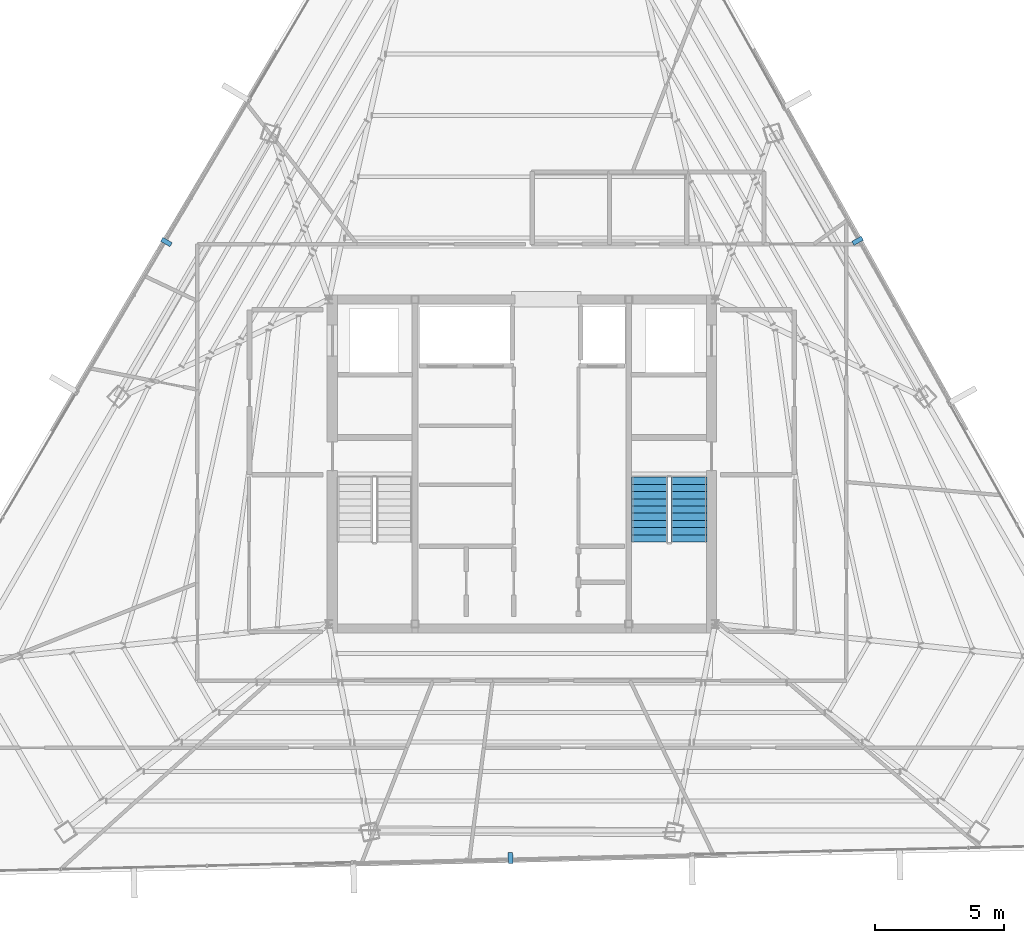
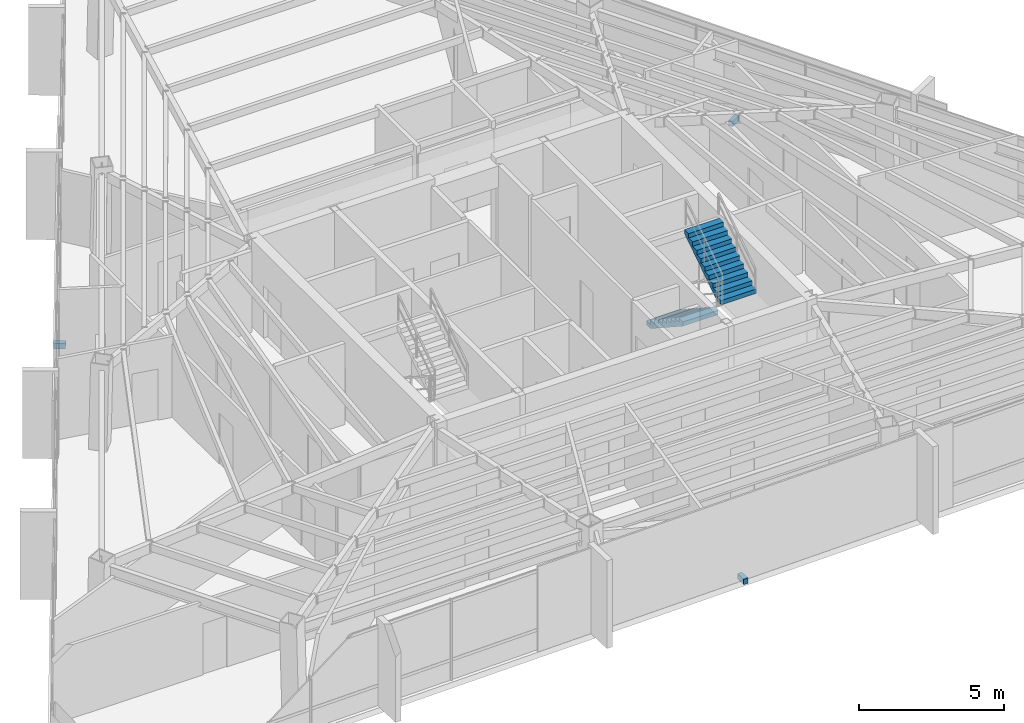
# One storey, part 45 of 47: 3 discrete accessories, 2 stair flights, 1 element without a shape of its own.
"""IFC4 building model written with IfcOpenShell, lengths in metres."""

from ifc_helpers import new_model, si_unit, direction, frame, origin, origin_2d, place, context, subcontext, project, spatial, polyline, rectangle, outline, extrude, source, transform, mapped, material, type_object, type_shapes, element, aggregate, save


model = new_model("IFC4")

# Units and contexts
model_context = context("Model", 3, precision=1e-05, world=origin(), true_north=direction((0.0, 1.0)))
body_context = subcontext(model_context, "Body", "Model", "MODEL_VIEW")
ifc_project = project(units=[si_unit("LENGTHUNIT", "METRE"), si_unit("AREAUNIT", "SQUARE_METRE"), si_unit("VOLUMEUNIT", "CUBIC_METRE"), si_unit("PLANEANGLEUNIT", "RADIAN"), si_unit("MASSUNIT", "GRAM", prefix="KILO")], contexts=[model_context])

# Site, building, storey
site_placement = place(None, origin())
site = spatial("IfcSite", under=ifc_project, at=site_placement, CompositionType="ELEMENT")
building_placement = place(site_placement, origin())
building = spatial("IfcBuilding", under=site, at=building_placement, Name="Caelisora Broadcast Tower", CompositionType="ELEMENT")
storey_placement = place(building_placement, frame((0.0, 0.0, 255.39990234375)))
storey = spatial("IfcBuildingStorey", under=building, at=storey_placement, Name="L67", CompositionType="ELEMENT", Elevation=255.39990234375)

# Stair, stair flights
ifc_material_1 = material(Name="Concrete 40 MPa (AS 3600 N40)", Category="concrete")
stair_type = type_object("IfcStairType", Name="ST-2", PredefinedType="HALF_TURN_STAIR", material=ifc_material_1)
stair_placement = place(storey_placement, origin())
stair = element("IfcStair", 1, at=stair_placement, inside=storey, type_object=stair_type, Name="L67 East Fire-Isolated Tower Stair", PredefinedType="HALF_TURN_STAIR")
stair_flight_type = type_object("IfcStairFlightType", Name="STF-4", PredefinedType="STRAIGHT", material=ifc_material_1)
stair_flight_1_placement = place(storey_placement, frame((42.9599609375, 23.10009765625, 0.0), z_axis=(0.0, 0.0, 1.0), x_axis=(0.0, -1.0, 0.0)))
stair_flight_1 = element("IfcStairFlight", 2, at=stair_flight_1_placement, type_object=stair_flight_type, Name="ST-2 flight 1", NumberOfRisers=10, NumberOfTreads=9, PredefinedType="STRAIGHT", RiserHeight=0.1825, TreadLength=0.28, context=body_context, shape_type="SweptSolid", body=[
    extrude(outline(polyline([(0.0, 0.0), (0.0, 0.1826171875), (0.280029296875, 0.1826171875), (0.280029296875, 0.364990234375), (0.56005859375, 0.364990234375), (0.56005859375, 0.547607421875), (0.840087890625, 0.547607421875), (0.840087890625, 0.72998046875), (1.1201171875, 0.72998046875), (1.1201171875, 0.91259765625), (1.39990234375, 0.91259765625), (1.39990234375, 1.094970703125), (1.679931640625, 1.094970703125), (1.679931640625, 1.277587890625), (1.9599609375, 1.277587890625), (1.9599609375, 1.4599609375), (2.239990234375, 1.4599609375), (2.239990234375, 1.642578125), (2.52001953125, 1.642578125), (2.52001953125, 1.824951171875), (2.52001953125, 1.463623046875), (0.2744140625, 0.0), (0.0, 0.0)])), frame((0.0, 0.699951171875, 0.0), z_axis=(0.0, -1.0, 0.0), x_axis=(1.0, 0.0, 0.0)), (0.0, 0.0, 1.0), 1.39990234375),
])
stair_flight_2_placement = place(storey_placement, frame((44.47998046875, 20.580078125, 1.8251953125), z_axis=(0.0, 0.0, 1.0), x_axis=(0.0, 1.0, 0.0)))
stair_flight_2 = element("IfcStairFlight", 3, at=stair_flight_2_placement, type_object=stair_flight_type, Name="ST-2 flight 2", NumberOfRisers=10, NumberOfTreads=9, PredefinedType="STRAIGHT", RiserHeight=0.1825, TreadLength=0.28, context=body_context, shape_type="SweptSolid", body=[
    extrude(outline(polyline([(0.0, 0.0), (0.0, 0.1826171875), (0.280029296875, 0.1826171875), (0.280029296875, 0.364990234375), (0.56005859375, 0.364990234375), (0.56005859375, 0.547607421875), (0.840087890625, 0.547607421875), (0.840087890625, 0.72998046875), (1.1201171875, 0.72998046875), (1.1201171875, 0.91259765625), (1.39990234375, 0.91259765625), (1.39990234375, 1.094970703125), (1.679931640625, 1.094970703125), (1.679931640625, 1.277587890625), (1.9599609375, 1.277587890625), (1.9599609375, 1.4599609375), (2.239990234375, 1.4599609375), (2.239990234375, 1.642578125), (2.52001953125, 1.642578125), (2.52001953125, 1.824951171875), (2.52001953125, 1.463623046875), (0.2744140625, 0.0), (0.0, 0.0)])), frame((0.0, 0.699951171875, 0.0), z_axis=(0.0, -1.0, 0.0), x_axis=(1.0, 0.0, 0.0)), (0.0, 0.0, 1.0), 1.39990234375),
])
aggregate(stair, [stair_flight_1, stair_flight_2])

# Discrete accessories
ifc_material_2 = material(Name="Steel Grade 350 (AS/NZS 3679.1)", Category="steel")
discrete_accessory_type = type_object("IfcDiscreteAccessoryType", Name="BRK-1", PredefinedType="BRACKET", material=ifc_material_2)
shared_shape = source(origin(), body_context, "Body", "SweptSolid", [
    extrude(rectangle(XDim=0.179931640625, YDim=0.419921875, at=origin_2d()), origin(), (0.0, 0.0, 1.0), 0.219970703125),
])
type_shapes(discrete_accessory_type, [shared_shape])
for number, where, z_axis, x_axis, name in (
    (4, (24.195556640625, 32.23046875, -0.15966796875), (0.0, 0.0, 1.0), (-0.508440380454, -0.861097195167, 0.0), "L67 solar screen outrigger bracket #1"),
    (5, (37.5576171875, 8.31396484375, -0.15966796875), (0.0, 0.0, 1.0), (0.999722430218, 0.023559764834, 0.0), "L67 solar screen outrigger bracket #2"),
    (6, (51.034423828125, 32.27880859375, -0.15966796875), (0.0, 0.0, 1.0), (-0.488012005351, 0.872836916401, 0.0), "L67 solar screen outrigger bracket #3"),
):
    element("IfcDiscreteAccessory", number, at=place(storey_placement, frame(where, z_axis=z_axis, x_axis=x_axis)), inside=storey, type_object=discrete_accessory_type, Name=name, PredefinedType="BRACKET", context=body_context, shape_type="MappedRepresentation", body=[
        mapped(shared_shape, transform((0.0, 0.0, 0.0), scale=1.0)),
    ])

save(model, "model.ifc")
